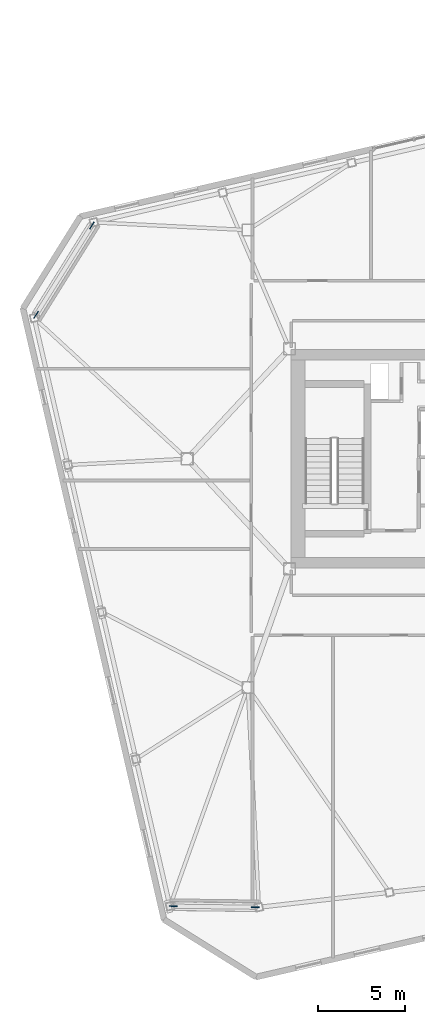
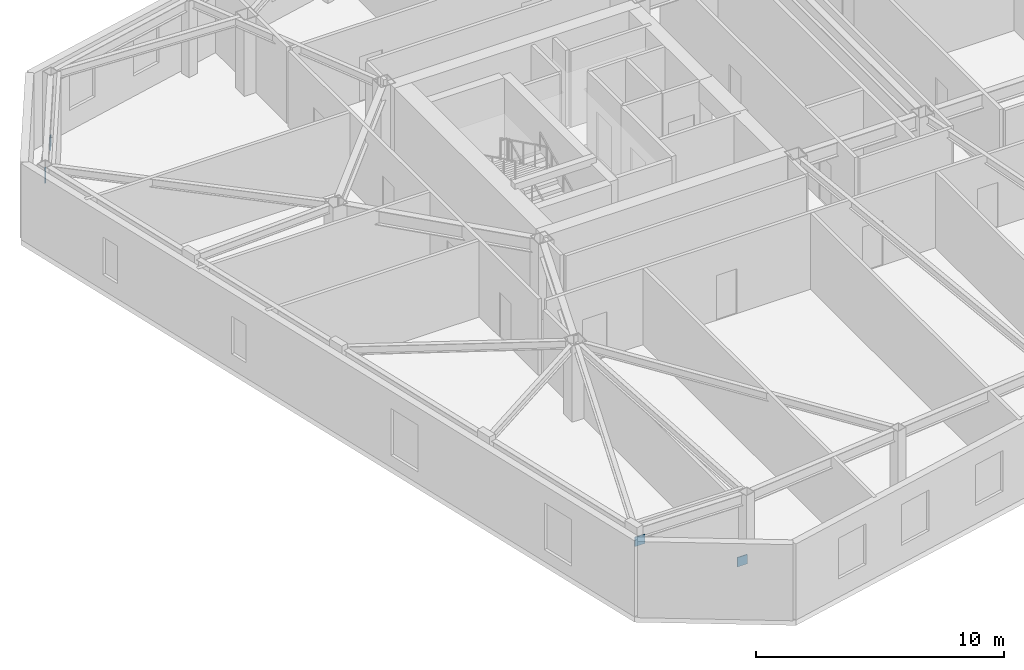
# One storey, part 20 of 22: 4 discrete accessories.
"""IFC4 building model written with IfcOpenShell, lengths in metres."""

import ifcopenshell
import ifcopenshell.guid

model = None  # the IFC model being written
_history = None  # IfcOwnerHistory: only IFC2X3 demands one
_inside = {}  # id of a spatial element -> (the spatial element, [elements in it])
_under = {}  # id of a project, library or spatial element -> (it, [spatial elements below it])
_declared = {}  # id of a project -> (the project, [libraries it declares])
_typed = {}  # id of a type object -> (the type object, [elements of that type])
_made_of = {}  # id of a material, layer set ... -> (it, [elements and type objects made of it])


def new_model(schema):
    """Start an empty IFC model of exactly this schema.

    Asked for "IFC4X3", IfcOpenShell would pick the latest addendum, in which some entities
    have other attributes; the version numbers below select the first issue.
    IFC2X3 requires an IfcOwnerHistory on every rooted entity: one is made here for all.
    """
    global model, _history
    if schema == "IFC4X3":
        model = ifcopenshell.file(schema_version=(4, 3, 0, 0))
    else:
        model = ifcopenshell.file(schema=schema)
    _inside.clear()
    _under.clear()
    _declared.clear()
    _typed.clear()
    _made_of.clear()
    _history = None
    if model.schema == "IFC2X3":
        org = make("IfcOrganization", Name="unknown")
        user = make(
            "IfcPersonAndOrganization",
            ThePerson=make("IfcPerson", FamilyName="unknown"),
            TheOrganization=org,
        )
        app = make(
            "IfcApplication",
            ApplicationDeveloper=org,
            Version="unknown",
            ApplicationFullName="unknown",
            ApplicationIdentifier="unknown",
        )
        _history = make(
            "IfcOwnerHistory",
            OwningUser=user,
            OwningApplication=app,
            ChangeAction="ADDED",
            CreationDate=0,
        )
    return model


def make(cls, **values):
    """One entity of the class cls with the attributes given. An attribute that is None is left unset."""
    return model.create_entity(
        cls, **{name: value for name, value in values.items() if value is not None}
    )


def rooted(cls, **values):
    """An entity with a GlobalId (a new one), such as an element, a storey or a relation."""
    return make(cls, GlobalId=ifcopenshell.guid.new(), OwnerHistory=_history, **values)


def si_unit(unit_type, name, prefix=None):
    """IfcSIUnit, for example si_unit("LENGTHUNIT", "METRE", prefix="MILLI")."""
    return make("IfcSIUnit", UnitType=unit_type, Prefix=prefix, Name=name)


def assignment(units):
    """IfcUnitAssignment: the units of a project."""
    return None if units is None else make("IfcUnitAssignment", Units=units)


def point(xyz):
    """IfcCartesianPoint."""
    return None if xyz is None else make("IfcCartesianPoint", Coordinates=xyz)


def direction(xyz):
    """IfcDirection."""
    return None if xyz is None else make("IfcDirection", DirectionRatios=xyz)


def frame(location, z_axis=None, x_axis=None):
    """IfcAxis2Placement3D, a coordinate frame: its origin and axes. An axis left out is left unset."""
    return make(
        "IfcAxis2Placement3D",
        Location=point(location),
        Axis=direction(z_axis),
        RefDirection=direction(x_axis),
    )


def frame_2d(location, x_axis=None):
    """IfcAxis2Placement2D, a coordinate frame in the plane: its origin and x axis."""
    return make(
        "IfcAxis2Placement2D", Location=point(location), RefDirection=direction(x_axis)
    )


def origin():
    """The frame at (0, 0, 0) with its axes left unset."""
    return frame((0.0, 0.0, 0.0))


def origin_2d():
    """The frame at (0, 0) in the plane with its x axis left unset."""
    return frame_2d((0.0, 0.0))


def place(relative_to, where):
    """IfcLocalPlacement: puts the frame where relative to a parent placement (None: the world)."""
    return make(
        "IfcLocalPlacement", PlacementRelTo=relative_to, RelativePlacement=where
    )


def context(
    kind, dimensions, precision=None, world=None, true_north=None, identifier=None
):
    """IfcGeometricRepresentationContext, for example the 3D "Model" context."""
    return make(
        "IfcGeometricRepresentationContext",
        ContextIdentifier=identifier,
        ContextType=kind,
        CoordinateSpaceDimension=dimensions,
        Precision=precision,
        WorldCoordinateSystem=world,
        TrueNorth=true_north,
    )


def subcontext(parent, identifier, kind, view, scale=None):
    """IfcGeometricRepresentationSubContext, for example "Body" below "Model"."""
    return make(
        "IfcGeometricRepresentationSubContext",
        ContextIdentifier=identifier,
        ContextType=kind,
        ParentContext=parent,
        TargetScale=scale,
        TargetView=view,
    )


def project(units=None, contexts=None):
    """IfcProject with its units and contexts."""
    return rooted(
        "IfcProject",
        Name="project",
        RepresentationContexts=contexts,
        UnitsInContext=assignment(units),
    )


def spatial(cls, under=None, at=None, **own):
    """A site, building, storey or space (cls), placed at a placement, below another one or the project."""
    s = rooted(cls, ObjectPlacement=at, **own)
    if under is not None:
        _under.setdefault(under.id(), (under, []))[1].append(s)
    return s


def profile(cls, at=None, kind="AREA", **sizes):
    """A parametric profile (cls). Its sizes go by their IFC names, for example OverallWidth=200.0."""
    return make(cls, ProfileType=kind, Position=at, **sizes)


def rectangle(**sizes):
    """IfcRectangleProfileDef."""
    return profile("IfcRectangleProfileDef", **sizes)


def extrude(swept, where, along, depth):
    """IfcExtrudedAreaSolid: the profile swept, set in the frame where, extruded along a direction by depth."""
    return make(
        "IfcExtrudedAreaSolid",
        SweptArea=swept,
        Position=where,
        ExtrudedDirection=direction(along),
        Depth=depth,
    )


def shape(context_of_items, identifier, shape_type, items):
    """IfcShapeRepresentation: the items that make up one representation, for example the "Body"."""
    return make(
        "IfcShapeRepresentation",
        ContextOfItems=context_of_items,
        RepresentationIdentifier=identifier,
        RepresentationType=shape_type,
        Items=items,
    )


def material(Name=None, Category=None):
    """IfcMaterial."""
    return make("IfcMaterial", Name=Name, Category=Category)


def made_of(thing, what):
    """Note that an element or type object is made of a material, layer set ...; save() writes the relation."""
    if what is not None:
        _made_of.setdefault(what.id(), (what, []))[1].append(thing)
    return thing


def type_object(cls, material=None, **own):
    """A type object (cls), such as IfcWallType, which elements share."""
    return made_of(rooted(cls, **own), material)


def element(
    cls,
    number,
    at=None,
    inside=None,
    cuts=None,
    type_object=None,
    material=None,
    context=None,
    identifier="Body",
    shape_type=None,
    held_by="IfcProductDefinitionShape",
    body=None,
    shapes=None,
    **own,
):
    """One element of the class cls, such as IfcWall. Its Tag is "e" and its number.

    at: its placement. inside: the storey or other place that contains it. cuts: it is an
    opening in that element (IfcRelVoidsElement). A single representation is given by context,
    identifier, shape_type and body (its items); several are given by shapes. held_by: the class
    of the entity that holds the representations. save() writes the other relations.
    """
    e = rooted(cls, Tag="e%d" % number, ObjectPlacement=at, **own)
    if body is not None:
        shapes = [shape(context, identifier, shape_type, body)]
    if shapes is not None:
        e.Representation = make(held_by, Representations=shapes)
    if inside is not None:
        _inside.setdefault(inside.id(), (inside, []))[1].append(e)
    if cuts is not None:
        rooted(
            "IfcRelVoidsElement", RelatingBuildingElement=cuts, RelatedOpeningElement=e
        )
    if type_object is not None:
        _typed.setdefault(type_object.id(), (type_object, []))[1].append(e)
    return made_of(e, material)


def aggregate(whole, parts):
    """IfcRelAggregates: a whole, such as a stair, and the parts it consists of."""
    return rooted("IfcRelAggregates", RelatingObject=whole, RelatedObjects=parts)


def save(model, path):
    """Write the relations noted so far, then the file.

    IfcRelAggregates (storeys below a building ...), IfcRelContainedInSpatialStructure (elements
    in a storey), IfcRelDefinesByType, IfcRelAssociatesMaterial and IfcRelDeclares: one each for
    every whole, place, type object, material and project.
    """
    for whole, parts in _under.values():
        aggregate(whole, parts)
    for where, things in _inside.values():
        rooted(
            "IfcRelContainedInSpatialStructure",
            RelatedElements=things,
            RelatingStructure=where,
        )
    for kind, things in _typed.values():
        rooted("IfcRelDefinesByType", RelatedObjects=things, RelatingType=kind)
    for what, things in _made_of.values():
        rooted("IfcRelAssociatesMaterial", RelatedObjects=things, RelatingMaterial=what)
    for by, libraries in _declared.values():
        rooted("IfcRelDeclares", RelatingContext=by, RelatedDefinitions=libraries)
    model.write(path)


model = new_model("IFC4")

# Units and contexts
model_context = context("Model", 3, precision=1e-05, world=origin(), true_north=direction((0.0, 1.0)))
body_context = subcontext(model_context, "Body", "Model", "MODEL_VIEW")
ifc_project = project(units=[si_unit("LENGTHUNIT", "METRE"), si_unit("AREAUNIT", "SQUARE_METRE"), si_unit("VOLUMEUNIT", "CUBIC_METRE"), si_unit("PLANEANGLEUNIT", "RADIAN"), si_unit("MASSUNIT", "GRAM", prefix="KILO")], contexts=[model_context])

# Site, building, storey
site_placement = place(None, origin())
site = spatial("IfcSite", under=ifc_project, at=site_placement, CompositionType="ELEMENT")
building_placement = place(site_placement, origin())
building = spatial("IfcBuilding", under=site, at=building_placement, Name="Tavrogorsk Clinical Tower", CompositionType="ELEMENT")
storey_placement = place(building_placement, frame((0.0, 0.0, 317.0)))
storey = spatial("IfcBuildingStorey", under=building, at=storey_placement, Name="L74", CompositionType="ELEMENT", Elevation=317.0)

# Discrete accessories
ifc_material = material(Name="Structural steel S440", Category="steel")
discrete_accessory_type = type_object("IfcDiscreteAccessoryType", Name="GussetPlateBracket_25", PredefinedType="BRACKET", material=ifc_material)
for number, where, z_axis, x_axis, name in (
    (1, (-33.501708984375, 13.4638671875, 0.163330078125), (0.0, 0.0, 1.0), (-0.529919264233, -0.848048096156, 0.0), "L74 Brace Gusset Plate EXOCRN-L74-3-A"),
    (2, (-36.72265625, 8.30908203125, 2.81689453125), (0.0, 0.0, 1.0), (-0.529919264233, -0.848048096156, 0.0), "L74 Brace Gusset Plate EXOCRN-L74-3-B"),
    (3, (-24.07080078125, -25.883056640625, 0.182861328125), (0.0, 0.0, 1.0), (-0.999914327574, 0.013089595571, 0.0), "L74 Brace Gusset Plate EXOCRN-L74-4-A"),
    (4, (-28.794677734375, -25.821533203125, 2.797119140625), (0.0, 0.0, 1.0), (-0.999914327574, 0.013089595571, 0.0), "L74 Brace Gusset Plate EXOCRN-L74-4-B"),
):
    element("IfcDiscreteAccessory", number, at=place(storey_placement, frame(where, z_axis=z_axis, x_axis=x_axis)), inside=storey, type_object=discrete_accessory_type, Name=name, PredefinedType="BRACKET", context=body_context, shape_type="SweptSolid", body=[
        extrude(rectangle(XDim=0.4599609375, YDim=0.0400390625, at=origin_2d()), origin(), (0.0, 0.0, 1.0), 0.4599609375),
    ])

save(model, "model.ifc")
